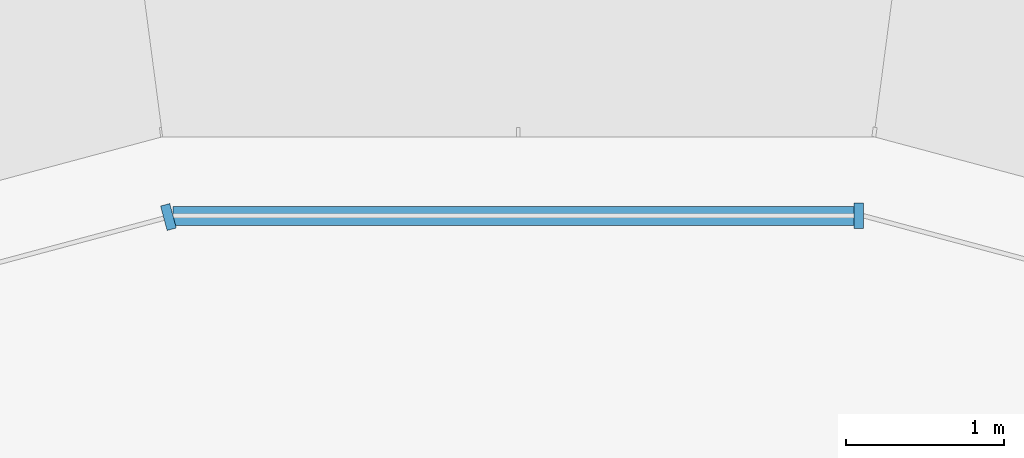
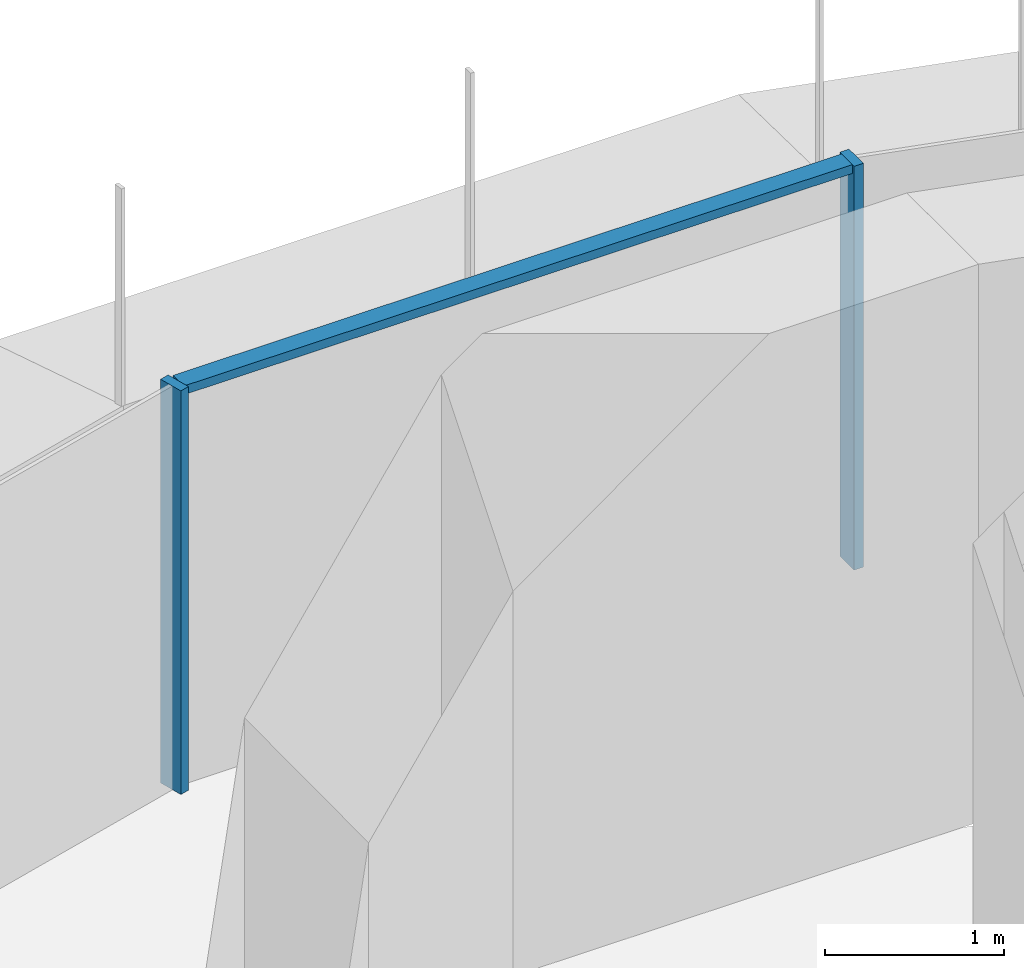
# One storey, part 11 of 22: 3 members, 2 elements without a shape of their own.
"""IFC4 building model written with IfcOpenShell, lengths in metres."""

from ifc_helpers import new_model, si_unit, direction, frame, origin, place, context, subcontext, project, spatial, polyline, outline, extrude, source, transform, mapped, material, type_object, element, aggregate, save


model = new_model("IFC4")

# Units and contexts
model_context = context("Model", 3, precision=1e-05, world=origin(), true_north=direction((0.0, 1.0)))
body_context = subcontext(model_context, "Body", "Model", "MODEL_VIEW")
ifc_project = project(units=[si_unit("LENGTHUNIT", "METRE"), si_unit("AREAUNIT", "SQUARE_METRE"), si_unit("VOLUMEUNIT", "CUBIC_METRE"), si_unit("PLANEANGLEUNIT", "RADIAN"), si_unit("MASSUNIT", "GRAM", prefix="KILO")], contexts=[model_context])

# Site, building, storey
site_placement = place(None, origin())
site = spatial("IfcSite", under=ifc_project, at=site_placement, CompositionType="ELEMENT")
building_placement = place(site_placement, origin())
building = spatial("IfcBuilding", under=site, at=building_placement, Name="Zarbagh Exchange Tower", CompositionType="ELEMENT")
storey_placement = place(building_placement, frame((0.0, 0.0, 132.199951171875)))
storey = spatial("IfcBuildingStorey", under=building, at=storey_placement, Name="L31", CompositionType="ELEMENT", Elevation=132.199951171875)

# Curtain wall, member
ifc_material_1 = material(Name="Anodised aluminium frame and glazing", Category="aluminium")
curtain_wall_type = type_object("IfcCurtainWallType", Name="CWA Ribbon glazing, lower zones", PredefinedType="NOTDEFINED", material=ifc_material_1)
curtain_wall_1_placement = place(storey_placement, origin())
curtain_wall_1 = element("IfcCurtainWall", 1, at=curtain_wall_1_placement, inside=storey, type_object=curtain_wall_type, Name="CWA57 curtain wall", PredefinedType="NOTDEFINED")
ifc_material_2 = material(Name="Anodised aluminium frame", Category="aluminium")
member_type_1 = type_object("IfcMemberType", Name="MUA Mullion, anodised aluminium frame", PredefinedType="MULLION", material=ifc_material_2)
shared_shape_1 = source(origin(), body_context, "Body", "SweptSolid", [
    extrude(outline(polyline([(0.0, -0.080078125), (0.06005859375, -0.080078125), (0.06005859375, 0.080078125), (0.0, 0.080078125), (0.0, -0.080078125)])), origin(), (0.0, 0.0, 1.0), 2.75),
])
placement = place(storey_placement, origin())
member_1 = element("IfcMember", 2, at=placement, type_object=member_type_1, Name="CWA57 mullion 1.1", PredefinedType="MULLION", context=body_context, shape_type="MappedRepresentation", body=[
    mapped(shared_shape_1, transform((2.18408203125, 31.0, 0.0), x_axis=(-1.0, 0.0, 0.0), y_axis=(0.0, -1.0, 0.0), z_axis=(0.0, 0.0, 1.0))),
])

curtain_wall_2_placement = place(storey_placement, origin())
curtain_wall_2 = element("IfcCurtainWall", 3, at=curtain_wall_2_placement, inside=storey, type_object=curtain_wall_type, Name="CWA53 curtain wall", PredefinedType="NOTDEFINED")
member_2 = element("IfcMember", 4, at=placement, type_object=member_type_1, Name="CWA53 mullion 1.1", PredefinedType="MULLION", context=body_context, shape_type="MappedRepresentation", body=[
    mapped(shared_shape_1, transform((-2.18408203125, 31.0, 0.0), x_axis=(-0.965924289636, -0.258824779902, 0.0), y_axis=(0.258824779902, -0.965924289636, 0.0), z_axis=(0.0, 0.0, 1.0))),
])
aggregate(curtain_wall_2, [member_2])

# Member
member_type_2 = type_object("IfcMemberType", Name="TRA Transom, anodised aluminium frame", PredefinedType="USERDEFINED", material=ifc_material_2)
shared_shape_2 = source(origin(), body_context, "Body", "SweptSolid", [
    extrude(outline(polyline([(-0.06005859375, -0.06005859375), (0.0, -0.06005859375), (0.0, 0.06005859375), (-0.06005859375, 0.06005859375), (-0.06005859375, -0.06005859375)])), origin(), (0.0, 0.0, 1.0), 4.308349609375),
])
member_3 = element("IfcMember", 5, at=placement, type_object=member_type_2, Name="CWA57 transom 1.1", ObjectType="TRANSOM", PredefinedType="USERDEFINED", context=body_context, shape_type="MappedRepresentation", body=[
    mapped(shared_shape_2, transform((2.124267578125, 31.0, 2.75), x_axis=(0.0, 0.0, 1.0), y_axis=(0.0, 1.0, 0.0), z_axis=(-1.0, 0.0, 0.0))),
])

aggregate(curtain_wall_1, [member_1, member_3])

save(model, "model.ifc")
